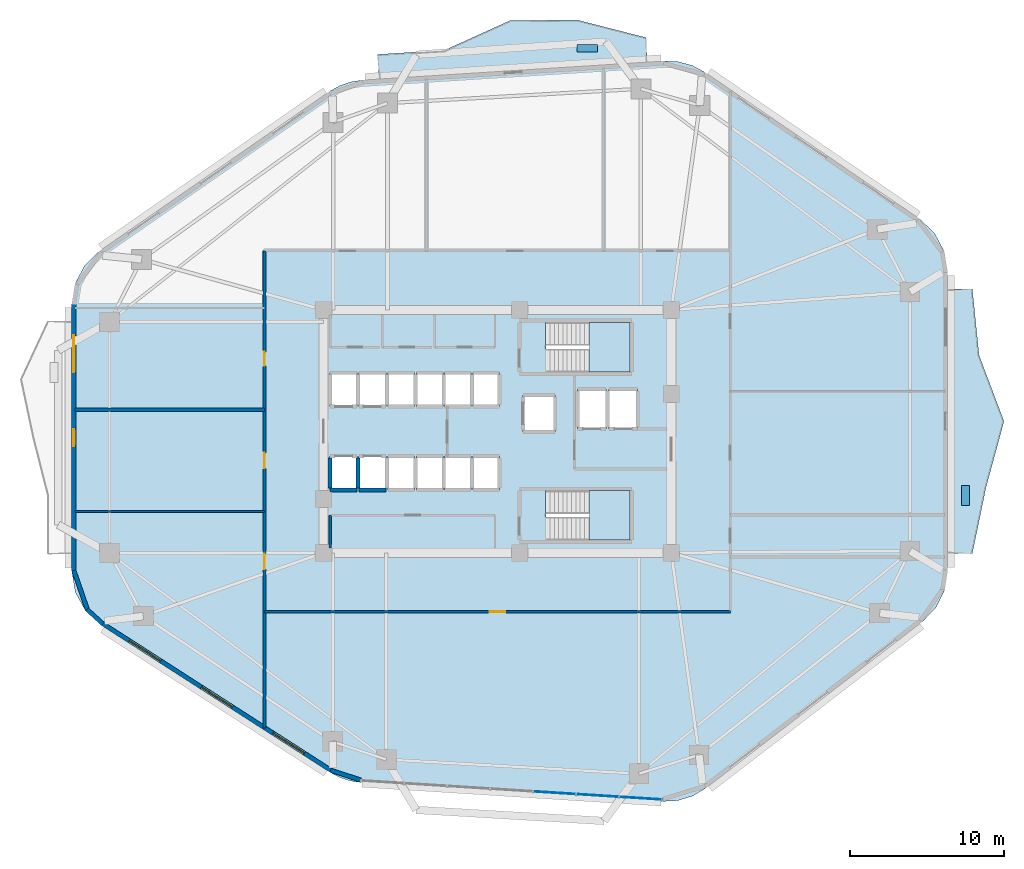
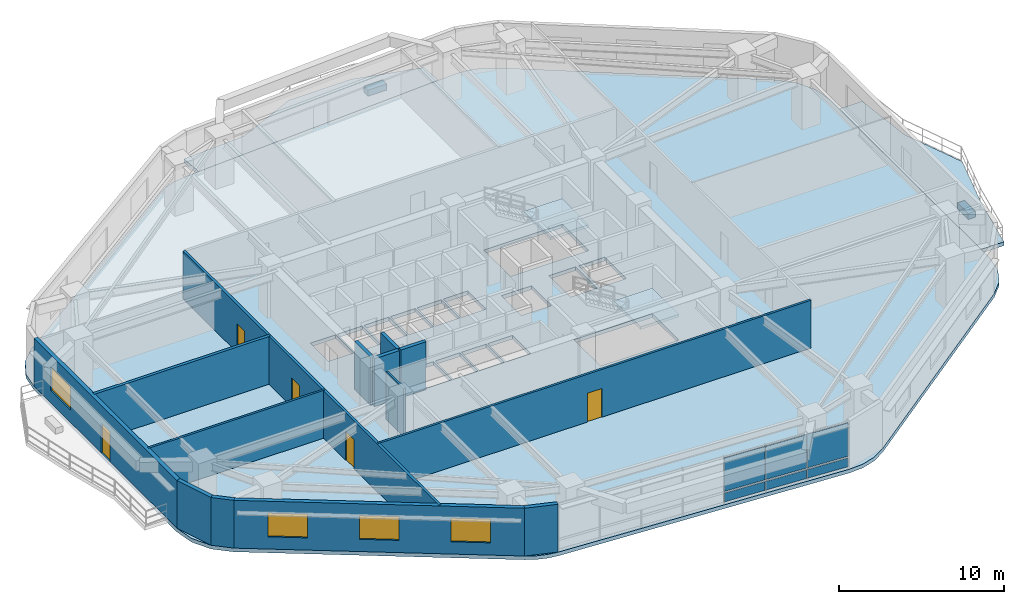
# One storey, part 7 of 13: 14 walls, 8 plates, 5 doors, 5 slabs, 4 windows, 9 openings, 3 elements without a shape of their own.
"""IFC4 building model written with IfcOpenShell, lengths in metres."""

from ifc_helpers import new_model, si_unit, direction, frame, frame_2d, origin, origin_2d, place, context, subcontext, project, spatial, polyline, rectangle, outline, extrude, material, layer, layer_set, type_object, element, fill, aggregate, save


model = new_model("IFC4")

# Units and contexts
model_context = context("Model", 3, precision=1e-05, world=origin(), true_north=direction((0.0, 1.0)))
body_context = subcontext(model_context, "Body", "Model", "MODEL_VIEW")
ifc_project = project(units=[si_unit("LENGTHUNIT", "METRE"), si_unit("AREAUNIT", "SQUARE_METRE"), si_unit("VOLUMEUNIT", "CUBIC_METRE"), si_unit("PLANEANGLEUNIT", "RADIAN"), si_unit("MASSUNIT", "GRAM", prefix="KILO")], contexts=[model_context])

# Site, building, storey
site_placement = place(None, origin())
site = spatial("IfcSite", under=ifc_project, at=site_placement, CompositionType="ELEMENT")
building_placement = place(site_placement, origin())
building = spatial("IfcBuilding", under=site, at=building_placement, Name="Zulverin Broadcast Headquarters", CompositionType="ELEMENT")
storey_placement = place(building_placement, frame((0.0, 0.0, 47.800048828125)))
storey = spatial("IfcBuildingStorey", under=building, at=storey_placement, Name="L11", CompositionType="ELEMENT", Elevation=47.800048828125)

# Curtain wall, plates
ifc_material_1 = material(Name="Low-zone ribbon unitised curtain wall", Category="aluminium")
curtain_wall_type = type_object("IfcCurtainWallType", Name="CW-TWR-LOW", PredefinedType="USERDEFINED", material=ifc_material_1)
curtain_wall_placement = place(storey_placement, origin())
curtain_wall = element("IfcCurtainWall", 1, at=curtain_wall_placement, inside=storey, type_object=curtain_wall_type, Name="L11 Unitised Curtain Wall CW-L11-E1", ObjectType="UNITISED CURTAIN WALL", PredefinedType="USERDEFINED")
ifc_material_2 = material(Name="Low-E double-glazed pale-silver vision glass", Category="glass")
ifc_layer_1 = layer(ifc_material_2, 0.035888671875, Name="Low-E double-glazed pale-silver vision glass", Category="glass")
ifc_layer_set_1 = layer_set([ifc_layer_1], Name="Low-E double-glazed pale-silver vision glass")
plate_type_1 = type_object("IfcPlateType", Name="CW-PNL-GLZ", PredefinedType="CURTAIN_PANEL", material=ifc_layer_set_1)
plate_1_placement = place(storey_placement, frame((40.72021484375, 1.759033203125, 0.910888671875), z_axis=(0.0, 0.0, 1.0), x_axis=(0.998017182581, -0.062942062821, 0.0)))
plate_1 = element("IfcPlate", 2, at=plate_1_placement, type_object=plate_type_1, Name="CW-L11-E1 Vision Panel 04", PredefinedType="CURTAIN_PANEL", context=body_context, shape_type="SweptSolid", body=[
    extrude(rectangle(XDim=2.756591796875, YDim=0.035888671875, at=origin_2d()), origin(), (0.0, 0.0, 1.0), 2.47412109375),
])
plate_2_placement = place(storey_placement, frame((43.511474609375, 1.5830078125, 0.910888671875), z_axis=(0.0, 0.0, 1.0), x_axis=(0.998017182581, -0.062942062821, 0.0)))
plate_2 = element("IfcPlate", 3, at=plate_2_placement, type_object=plate_type_1, Name="CW-L11-E1 Vision Panel 05", PredefinedType="CURTAIN_PANEL", context=body_context, shape_type="SweptSolid", body=[
    extrude(rectangle(XDim=2.756591796875, YDim=0.035888671875, at=origin_2d()), origin(), (0.0, 0.0, 1.0), 2.47412109375),
])
plate_3_placement = place(storey_placement, frame((46.302490234375, 1.406982421875, 0.910888671875), z_axis=(0.0, 0.0, 1.0), x_axis=(0.998017182581, -0.062942062821, 0.0)))
plate_3 = element("IfcPlate", 4, at=plate_3_placement, type_object=plate_type_1, Name="CW-L11-E1 Vision Panel 06", PredefinedType="CURTAIN_PANEL", context=body_context, shape_type="SweptSolid", body=[
    extrude(rectangle(XDim=2.756591796875, YDim=0.035888671875, at=origin_2d()), origin(), (0.0, 0.0, 1.0), 2.47412109375),
])
ifc_material_3 = material(Name="Insulated brushed pale-aluminium spandrel cassette", Category="aluminium")
ifc_layer_2 = layer(ifc_material_3, 0.050048828125, Name="Insulated brushed pale-aluminium spandrel cassette", Category="aluminium")
ifc_layer_set_2 = layer_set([ifc_layer_2], Name="Insulated brushed pale-aluminium spandrel cassette")
plate_type_2 = type_object("IfcPlateType", Name="CW-PNL-SPN", PredefinedType="CURTAIN_PANEL", material=ifc_layer_set_2)
plate_4_placement = place(storey_placement, frame((40.72021484375, 1.759033203125, 0.139892578125), z_axis=(0.0, 0.0, 1.0), x_axis=(0.998017182581, -0.062942062821, 0.0)))
plate_4 = element("IfcPlate", 5, at=plate_4_placement, type_object=plate_type_2, Name="CW-L11-E1 Spandrel Cassette 04", PredefinedType="CURTAIN_PANEL", context=body_context, shape_type="SweptSolid", body=[
    extrude(rectangle(XDim=2.756591796875, YDim=0.050048828125, at=origin_2d()), origin(), (0.0, 0.0, 1.0), 0.64111328125),
])
plate_5_placement = place(storey_placement, frame((43.511474609375, 1.5830078125, 0.139892578125), z_axis=(0.0, 0.0, 1.0), x_axis=(0.998017182581, -0.062942062821, 0.0)))
plate_5 = element("IfcPlate", 6, at=plate_5_placement, type_object=plate_type_2, Name="CW-L11-E1 Spandrel Cassette 05", PredefinedType="CURTAIN_PANEL", context=body_context, shape_type="SweptSolid", body=[
    extrude(rectangle(XDim=2.756591796875, YDim=0.050048828125, at=origin_2d()), origin(), (0.0, 0.0, 1.0), 0.64111328125),
])
plate_6_placement = place(storey_placement, frame((46.302490234375, 1.406982421875, 0.139892578125), z_axis=(0.0, 0.0, 1.0), x_axis=(0.998017182581, -0.062942062821, 0.0)))
plate_6 = element("IfcPlate", 7, at=plate_6_placement, type_object=plate_type_2, Name="CW-L11-E1 Spandrel Cassette 06", PredefinedType="CURTAIN_PANEL", context=body_context, shape_type="SweptSolid", body=[
    extrude(rectangle(XDim=2.756591796875, YDim=0.050048828125, at=origin_2d()), origin(), (0.0, 0.0, 1.0), 0.64111328125),
])
aggregate(curtain_wall, [plate_4, plate_1, plate_5, plate_2, plate_6, plate_3])

# Plates
ifc_material_4 = material(Name="Precast concrete C45/55", Category="concrete")
ifc_layer_3 = layer(ifc_material_4, 0.449951171875, Name="Precast concrete C45/55", Category="concrete")
ifc_layer_set_3 = layer_set([ifc_layer_3], Name="Precast concrete C45/55")
plate_type_3 = type_object("IfcPlateType", Name="PT-01_PRECAST_GFRC_TREE_PLANTER", PredefinedType="USERDEFINED", material=ifc_layer_set_3)
for number, where, z_axis, x_axis, name in (
    (8, (67.35009765625, 21.05224609375, -0.0048828125), (0.0, 0.0, 1.0), (0.0, 1.0, 0.0), "L11 Precast GFRC Tree Planter BAL_E"),
    (9, (42.825927734375, 50.04638671875, -0.0048828125), (0.0, 0.0, 1.0), (1.0, 0.0, 0.0), "L11 Precast GFRC Tree Planter BAL_N"),
):
    element("IfcPlate", number, at=place(storey_placement, frame(where, z_axis=z_axis, x_axis=x_axis)), inside=storey, type_object=plate_type_3, Name=name, ObjectType="PLANTER", PredefinedType="USERDEFINED", context=body_context, shape_type="SweptSolid", body=[
        extrude(rectangle(XDim=1.300048828125, YDim=0.5, at=origin_2d()), origin(), (0.0, 0.0, 1.0), 0.449951171875),
    ])

# Slabs
ifc_material_5 = material(Name="Concrete C40/50", Category="concrete")
ifc_layer_4 = layer(ifc_material_5, 0.27490234375, Name="Concrete C40/50", Category="concrete")
ifc_layer_set_4 = layer_set([ifc_layer_4], Name="Concrete C40/50")
slab_type_1 = type_object("IfcSlabType", Name="SLB-BAL-275", PredefinedType="FLOOR", material=ifc_layer_set_4)
slab_1_placement = place(storey_placement, frame((0.0, 0.0, -0.275146484375)))
element("IfcSlab", 10, at=slab_1_placement, inside=storey, type_object=slab_type_1, Name="L11 Cantilevered Planted Balcony Slab BAL_E", PredefinedType="FLOOR", context=body_context, shape_type="SweptSolid", body=[
    extrude(outline(polyline([(66.199951171875, 34.41455078125), (66.199951171875, 17.283447265625), (67.800048828125, 17.283447265625), (68.683837890625, 21.566162109375), (69.85009765625, 25.848876953125), (68.234375, 30.131591796875), (67.800048828125, 34.41455078125), (66.199951171875, 34.41455078125)])), origin(), (0.0, 0.0, 1.0), 0.275146484375),
])
slab_2_placement = place(storey_placement, frame((0.0, 0.0, -0.275146484375)))
element("IfcSlab", 11, at=slab_2_placement, inside=storey, type_object=slab_type_1, Name="L11 Cantilevered Planted Balcony Slab BAL_N", PredefinedType="FLOOR", context=body_context, shape_type="SweptSolid", body=[
    extrude(outline(polyline([(29.330078125, 48.04296875), (46.72509765625, 49.139892578125), (46.62451171875, 50.73681640625), (42.18701171875, 51.871337890625), (37.8232421875, 51.8349609375), (33.578369140625, 49.9140625), (29.2294921875, 49.639892578125), (29.330078125, 48.04296875)])), origin(), (0.0, 0.0, 1.0), 0.275146484375),
])

# Stair, slab
stair_type = type_object("IfcStairType", Name="ST-CORE-1500", PredefinedType="HALF_TURN_STAIR", material=ifc_material_5)
stair_1_placement = place(storey_placement, origin())
stair_1 = element("IfcStair", 12, at=stair_1_placement, inside=storey, type_object=stair_type, Name="L11 Core Exit Stair ST-1", PredefinedType="HALF_TURN_STAIR")
ifc_layer_5 = layer(ifc_material_5, 0.199951171875, Name="Concrete C40/50", Category="concrete")
ifc_layer_set_5 = layer_set([ifc_layer_5], Name="Concrete C40/50")
slab_type_2 = type_object("IfcSlabType", Name="SLB-ST-LND200", PredefinedType="LANDING", material=ifc_layer_set_5)
slab_3_placement = place(storey_placement, frame((0.0, 0.0, 1.699951171875)))
slab_3 = element("IfcSlab", 13, at=slab_3_placement, type_object=slab_type_2, Name="ST-1 landing 1", PredefinedType="LANDING", context=body_context, shape_type="SweptSolid", body=[
    extrude(outline(polyline([(42.929931640625, 29.050048828125), (45.60009765625, 29.050048828125), (45.60009765625, 32.25), (42.929931640625, 32.25), (42.929931640625, 29.050048828125)])), origin(), (0.0, 0.0, 1.0), 0.199951171875),
])
aggregate(stair_1, [slab_3])

stair_2_placement = place(storey_placement, origin())
stair_2 = element("IfcStair", 14, at=stair_2_placement, inside=storey, type_object=stair_type, Name="L11 Core Exit Stair ST-2", PredefinedType="HALF_TURN_STAIR")
slab_4_placement = place(storey_placement, frame((0.0, 0.0, 1.699951171875)))
slab_4 = element("IfcSlab", 15, at=slab_4_placement, type_object=slab_type_2, Name="ST-2 landing 1", PredefinedType="LANDING", context=body_context, shape_type="SweptSolid", body=[
    extrude(outline(polyline([(42.929931640625, 18.14990234375), (45.60009765625, 18.14990234375), (45.60009765625, 21.35009765625), (42.929931640625, 21.35009765625), (42.929931640625, 18.14990234375)])), origin(), (0.0, 0.0, 1.0), 0.199951171875),
])
aggregate(stair_2, [slab_4])

# Slab
ifc_layer_6 = layer(ifc_material_5, 0.27490234375, Name="Concrete C40/50", Category="concrete")
ifc_layer_set_6 = layer_set([ifc_layer_6], Name="Concrete C40/50")
slab_type_3 = type_object("IfcSlabType", Name="SLB-TWR-275", PredefinedType="FLOOR", material=ifc_layer_set_6)
slab_5_placement = place(storey_placement, frame((0.0, 0.0, -0.275146484375)))
element("IfcSlab", 16, at=slab_5_placement, inside=storey, type_object=slab_type_3, Name="L11 Main Structural Floor Slab", PredefinedType="FLOOR", context=body_context, shape_type="SweptSolid", body=[
    extrude(outline(polyline([(26.146484375, 3.089599609375), (26.774658203125, 2.75732421875), (27.44970703125, 2.535888671875), (28.152587890625, 2.431396484375), (47.690673828125, 1.19921875), (48.69189453125, 1.256103515625), (49.6513671875, 1.548828125), (50.51416015625, 2.060546875), (64.55908203125, 12.85302734375), (65.44140625, 13.77587890625), (66.005859375, 14.92138671875), (66.199951171875, 16.183349609375), (66.199951171875, 35.514404296875), (65.981689453125, 36.85107421875), (65.349365234375, 38.048583984375), (64.368896484375, 38.982666015625), (50.456298828125, 48.485595703125), (49.639404296875, 48.920166015625), (48.747314453125, 49.165283203125), (47.822998046875, 49.208984375), (28.232421875, 47.9736328125), (27.481201171875, 47.857421875), (26.76318359375, 47.607666015625), (26.102294921875, 47.232666015625), (11.20556640625, 36.89501953125), (10.238037109375, 35.9619140625), (9.614990234375, 34.77099609375), (9.39990234375, 33.4443359375), (9.39990234375, 16.1435546875), (9.631103515625, 14.769775390625), (10.298583984375, 13.547119140625), (11.32958984375, 12.610107421875), (26.146484375, 3.089599609375)]), holes=[polyline([(40.155029296875, 30.75), (40.130126953125, 30.75), (40.130126953125, 32.25), (45.60009765625, 32.25), (45.60009765625, 29.050048828125), (40.155029296875, 29.050048828125), (40.155029296875, 30.75)]), polyline([(40.155029296875, 19.85009765625), (40.130126953125, 19.85009765625), (40.130126953125, 21.35009765625), (45.60009765625, 21.35009765625), (45.60009765625, 18.14990234375), (40.155029296875, 18.14990234375), (40.155029296875, 19.85009765625)]), polyline([(26.14990234375, 26.800048828125), (27.89990234375, 26.800048828125), (27.89990234375, 29.0), (26.14990234375, 29.0), (26.14990234375, 26.800048828125)]), polyline([(28.02001953125, 26.800048828125), (29.77001953125, 26.800048828125), (29.77001953125, 29.0), (28.02001953125, 29.0), (28.02001953125, 26.800048828125)]), polyline([(26.14990234375, 21.39990234375), (27.89990234375, 21.39990234375), (27.89990234375, 23.60009765625), (26.14990234375, 23.60009765625), (26.14990234375, 21.39990234375)]), polyline([(28.02001953125, 21.39990234375), (29.77001953125, 21.39990234375), (29.77001953125, 23.60009765625), (28.02001953125, 23.60009765625), (28.02001953125, 21.39990234375)]), polyline([(29.89990234375, 21.39990234375), (31.6201171875, 21.39990234375), (31.6201171875, 23.60009765625), (29.89990234375, 23.60009765625), (29.89990234375, 21.39990234375)]), polyline([(31.739990234375, 21.39990234375), (33.4599609375, 21.39990234375), (33.4599609375, 23.60009765625), (31.739990234375, 23.60009765625), (31.739990234375, 21.39990234375)]), polyline([(33.580078125, 21.39990234375), (35.300048828125, 21.39990234375), (35.300048828125, 23.60009765625), (33.580078125, 23.60009765625), (33.580078125, 21.39990234375)]), polyline([(35.419921875, 21.39990234375), (37.139892578125, 21.39990234375), (37.139892578125, 23.60009765625), (35.419921875, 23.60009765625), (35.419921875, 21.39990234375)]), polyline([(29.89990234375, 26.800048828125), (31.6201171875, 26.800048828125), (31.6201171875, 29.0), (29.89990234375, 29.0), (29.89990234375, 26.800048828125)]), polyline([(31.739990234375, 26.800048828125), (33.4599609375, 26.800048828125), (33.4599609375, 29.0), (31.739990234375, 29.0), (31.739990234375, 26.800048828125)]), polyline([(33.580078125, 26.800048828125), (35.300048828125, 26.800048828125), (35.300048828125, 29.0), (33.580078125, 29.0), (33.580078125, 26.800048828125)]), polyline([(35.419921875, 26.800048828125), (37.139892578125, 26.800048828125), (37.139892578125, 29.0), (35.419921875, 29.0), (35.419921875, 26.800048828125)]), polyline([(42.199951171875, 25.35009765625), (44.050048828125, 25.35009765625), (44.050048828125, 27.949951171875), (42.199951171875, 27.949951171875), (42.199951171875, 25.35009765625)]), polyline([(44.25, 25.35009765625), (46.10009765625, 25.35009765625), (46.10009765625, 27.949951171875), (44.25, 27.949951171875), (44.25, 25.35009765625)]), polyline([(38.64990234375, 25.14990234375), (40.75, 25.14990234375), (40.75, 27.550048828125), (38.64990234375, 27.550048828125), (38.64990234375, 25.14990234375)])]), origin(), (0.0, 0.0, 1.0), 0.275146484375),
])

# Wall
ifc_material_6 = material(Name="Acoustic drywall steel stud", Category="steel")
ifc_layer_7 = layer(ifc_material_6, 0.199951171875, Name="Acoustic drywall steel stud", Category="steel")
ifc_layer_set_7 = layer_set([ifc_layer_7], Name="Acoustic drywall steel stud")
wall_type_1 = type_object("IfcWallType", Name="WL-ACOU-200", PredefinedType="PARTITIONING", material=ifc_layer_set_7)
wall_1_placement = place(storey_placement, frame((9.60498046875, 26.60009765625, 0.0), z_axis=(0.0, 0.0, 1.0), x_axis=(1.0, 0.0, 0.0)))
element("IfcWall", 17, at=wall_1_placement, inside=storey, type_object=wall_type_1, Name="L11 Room Partition Wall RP-09", PredefinedType="PARTITIONING", context=body_context, shape_type="SweptSolid", body=[
    extrude(rectangle(XDim=12.294921875, YDim=0.199951171875, at=frame_2d((6.1474609375, 0.0))), origin(), (0.0, 0.0, 1.0), 3.52490234375),
])

# Wall, openings, door, window
ifc_material_7 = material(Name="Insulated pale-metal clad concrete spandrel C40/50", Category="concrete")
ifc_layer_8 = layer(ifc_material_7, 0.280029296875, Name="Insulated pale-metal clad concrete spandrel C40/50", Category="concrete")
ifc_layer_set_8 = layer_set([ifc_layer_8], Name="Insulated pale-metal clad concrete spandrel C40/50")
wall_type_2 = type_object("IfcWallType", Name="WL-EXT-280", PredefinedType="STANDARD", material=ifc_layer_set_8)
wall_2_placement = place(storey_placement, frame((9.5400390625, 33.4443359375, 0.0), z_axis=(0.0, 0.0, 1.0), x_axis=(0.0, -1.0, 0.0)))
wall_2 = element("IfcWall", 18, at=wall_2_placement, inside=storey, type_object=wall_type_2, Name="L11 Pale-Metal Clad Spandrel Wall 7", PredefinedType="STANDARD", context=body_context, shape_type="SweptSolid", body=[
    extrude(rectangle(XDim=17.30078125, YDim=0.280029296875, at=frame_2d((8.650390625, 0.0))), origin(), (0.0, 0.0, 1.0), 3.52490234375),
])
opening_1_placement = place(wall_2_placement, frame((8.100341796875, 0.0, 0.0)))
opening_1 = element("IfcOpeningElement", 19, at=opening_1_placement, cuts=wall_2, Name="Opening D-L11-TR7", PredefinedType="OPENING", context=body_context, shape_type="SweptSolid", body=[
    extrude(rectangle(XDim=1.10009765625, YDim=2.199951171875, at=frame_2d((0.550048828125, 1.10009765625))), frame((0.0, 0.14990234375, 0.0), z_axis=(0.0, -1.0, 0.0), x_axis=(1.0, 0.0, 0.0)), (0.0, 0.0, 1.0), 0.300048828125),
])
opening_2_placement = place(wall_2_placement, frame((2.016845703125, 0.0, 0.89990234375)))
opening_2 = element("IfcOpeningElement", 20, at=opening_2_placement, cuts=wall_2, Name="Opening W-L11-E71", PredefinedType="OPENING", context=body_context, shape_type="SweptSolid", body=[
    extrude(rectangle(XDim=2.39990234375, YDim=1.75, at=frame_2d((1.199951171875, 0.875))), frame((0.0, 0.14990234375, 0.0), z_axis=(0.0, -1.0, 0.0), x_axis=(1.0, 0.0, 0.0)), (0.0, 0.0, 1.0), 0.300048828125),
])
ifc_material_8 = material(Name="Thermally broken aluminium glazed", Category="aluminium")
door_type_1 = type_object("IfcDoorType", Name="DR-TERR-1100", OperationType="SINGLE_SWING_RIGHT", PredefinedType="DOOR", material=ifc_material_8)
door_1_placement = place(opening_1_placement, origin())
door_1 = element("IfcDoor", 21, at=door_1_placement, inside=storey, type_object=door_type_1, Name="L11 Planted Terrace Glazed Access Door 7", OperationType="SINGLE_SWING_RIGHT", OverallHeight=2.199951171875, OverallWidth=1.10009765625, PredefinedType="DOOR", context=body_context, shape_type="SweptSolid", body=[
    extrude(rectangle(XDim=1.10009765625, YDim=2.199951171875, at=frame_2d((0.550048828125, 1.10009765625))), frame((0.0, 0.02490234375, 0.0), z_axis=(0.0, -1.0, 0.0), x_axis=(1.0, 0.0, 0.0)), (0.0, 0.0, 1.0), 0.050048828125),
])
fill(opening_1, door_1)
ifc_material_9 = material(Name="Pale anodized aluminium frame with solar-control low-E double glazing", Category="aluminium")
window_type = type_object("IfcWindowType", Name="WIN-RIB-2400", PartitioningType="SINGLE_PANEL", PredefinedType="WINDOW", material=ifc_material_9)
window_1_placement = place(opening_2_placement, origin())
window_1 = element("IfcWindow", 22, at=window_1_placement, inside=storey, type_object=window_type, Name="L11 Ribbon Glazing Window 7 1", OverallHeight=1.75, OverallWidth=2.39990234375, PartitioningType="SINGLE_PANEL", PredefinedType="WINDOW", context=body_context, shape_type="SweptSolid", body=[
    extrude(rectangle(XDim=2.39990234375, YDim=1.75, at=frame_2d((1.199951171875, 0.875))), frame((0.0, 0.030029296875, 0.0), z_axis=(0.0, -1.0, 0.0), x_axis=(1.0, 0.0, 0.0)), (0.0, 0.0, 1.0), 0.06005859375),
])
fill(opening_2, window_1)

# Wall, openings, windows
wall_3_placement = place(storey_placement, frame((11.4052734375, 12.727783203125, 0.0), z_axis=(0.0, 0.0, 1.0), x_axis=(0.841304564637, -0.540561402175, 0.0)))
wall_3 = element("IfcWall", 23, at=wall_3_placement, inside=storey, type_object=wall_type_2, Name="L11 Pale-Metal Clad Spandrel Wall 8", PredefinedType="STANDARD", context=body_context, shape_type="SweptSolid", body=[
    extrude(rectangle(XDim=17.61181640625, YDim=0.280029296875, at=frame_2d((8.805908203125, 0.0))), origin(), (0.0, 0.0, 1.0), 3.52490234375),
])
opening_3_placement = place(wall_3_placement, frame((2.068603515625, 0.0, 0.89990234375)))
opening_3 = element("IfcOpeningElement", 24, at=opening_3_placement, cuts=wall_3, Name="Opening W-L11-E81", PredefinedType="OPENING", context=body_context, shape_type="SweptSolid", body=[
    extrude(rectangle(XDim=2.39990234375, YDim=1.75, at=frame_2d((1.199951171875, 0.875))), frame((0.0, 0.14990234375, 0.0), z_axis=(0.0, -1.0, 0.0), x_axis=(1.0, 0.0, 0.0)), (0.0, 0.0, 1.0), 0.300048828125),
])
opening_4_placement = place(wall_3_placement, frame((7.60595703125, 0.0, 0.89990234375)))
opening_4 = element("IfcOpeningElement", 25, at=opening_4_placement, cuts=wall_3, Name="Opening W-L11-E82", PredefinedType="OPENING", context=body_context, shape_type="SweptSolid", body=[
    extrude(rectangle(XDim=2.39990234375, YDim=1.75, at=frame_2d((1.199951171875, 0.875))), frame((0.0, 0.14990234375, 0.0), z_axis=(0.0, -1.0, 0.0), x_axis=(1.0, 0.0, 0.0)), (0.0, 0.0, 1.0), 0.300048828125),
])
opening_5_placement = place(wall_3_placement, frame((13.143310546875, 0.0, 0.89990234375)))
opening_5 = element("IfcOpeningElement", 26, at=opening_5_placement, cuts=wall_3, Name="Opening W-L11-E83", PredefinedType="OPENING", context=body_context, shape_type="SweptSolid", body=[
    extrude(rectangle(XDim=2.39990234375, YDim=1.75, at=frame_2d((1.199951171875, 0.875))), frame((0.0, 0.14990234375, 0.0), z_axis=(0.0, -1.0, 0.0), x_axis=(1.0, 0.0, 0.0)), (0.0, 0.0, 1.0), 0.300048828125),
])
window_2_placement = place(opening_3_placement, origin())
window_2 = element("IfcWindow", 27, at=window_2_placement, inside=storey, type_object=window_type, Name="L11 Ribbon Glazing Window 8 1", OverallHeight=1.75, OverallWidth=2.39990234375, PartitioningType="SINGLE_PANEL", PredefinedType="WINDOW", context=body_context, shape_type="SweptSolid", body=[
    extrude(rectangle(XDim=2.39990234375, YDim=1.75, at=frame_2d((1.199951171875, 0.875))), frame((0.0, 0.030029296875, 0.0), z_axis=(0.0, -1.0, 0.0), x_axis=(1.0, 0.0, 0.0)), (0.0, 0.0, 1.0), 0.06005859375),
])
fill(opening_3, window_2)
window_3_placement = place(opening_4_placement, origin())
window_3 = element("IfcWindow", 28, at=window_3_placement, inside=storey, type_object=window_type, Name="L11 Ribbon Glazing Window 8 2", OverallHeight=1.75, OverallWidth=2.39990234375, PartitioningType="SINGLE_PANEL", PredefinedType="WINDOW", context=body_context, shape_type="SweptSolid", body=[
    extrude(rectangle(XDim=2.39990234375, YDim=1.75, at=frame_2d((1.199951171875, 0.875))), frame((0.0, 0.030029296875, 0.0), z_axis=(0.0, -1.0, 0.0), x_axis=(1.0, 0.0, 0.0)), (0.0, 0.0, 1.0), 0.06005859375),
])
fill(opening_4, window_3)
window_4_placement = place(opening_5_placement, origin())
window_4 = element("IfcWindow", 29, at=window_4_placement, inside=storey, type_object=window_type, Name="L11 Ribbon Glazing Window 8 3", OverallHeight=1.75, OverallWidth=2.39990234375, PartitioningType="SINGLE_PANEL", PredefinedType="WINDOW", context=body_context, shape_type="SweptSolid", body=[
    extrude(rectangle(XDim=2.39990234375, YDim=1.75, at=frame_2d((1.199951171875, 0.875))), frame((0.0, 0.030029296875, 0.0), z_axis=(0.0, -1.0, 0.0), x_axis=(1.0, 0.0, 0.0)), (0.0, 0.0, 1.0), 0.06005859375),
])
fill(opening_5, window_4)

# Walls
wall_4_placement = place(storey_placement, frame((9.5322265625, 16.189453125, 0.0), z_axis=(0.0, 0.0, 1.0), x_axis=(0.32708309668, -0.944995580871, 0.0)))
element("IfcWall", 30, at=wall_4_placement, inside=storey, type_object=wall_type_2, Name="L11 Wind-Shaped Corner Spandrel Wall 7-1", PredefinedType="STANDARD", context=body_context, shape_type="SweptSolid", body=[
    extrude(rectangle(XDim=2.74755859375, YDim=0.280029296875, at=frame_2d((1.373779296875, 0.0))), origin(), (0.0, 0.0, 1.0), 3.52490234375),
])
wall_5_placement = place(storey_placement, frame((10.392822265625, 13.650634765625, 0.0), z_axis=(0.0, 0.0, 1.0), x_axis=(0.74003521851, -0.672568119498, 0.0)))
element("IfcWall", 31, at=wall_5_placement, inside=storey, type_object=wall_type_2, Name="L11 Wind-Shaped Corner Spandrel Wall 7-2", PredefinedType="STANDARD", context=body_context, shape_type="SweptSolid", body=[
    extrude(rectangle(XDim=1.39306640625, YDim=0.280029296875, at=frame_2d((0.696533203125, 0.0))), origin(), (0.0, 0.0, 1.0), 3.52490234375),
])
wall_6_placement = place(storey_placement, frame((26.18994140625, 3.22265625, 0.0), z_axis=(0.0, 0.0, 1.0), x_axis=(0.950175683881, -0.311714885371, 0.0)))
element("IfcWall", 32, at=wall_6_placement, inside=storey, type_object=wall_type_2, Name="L11 Wind-Shaped Corner Spandrel Wall 8-1", PredefinedType="STANDARD", context=body_context, shape_type="SweptSolid", body=[
    extrude(rectangle(XDim=2.046630859375, YDim=0.280029296875, at=frame_2d((1.0234375, 0.0))), origin(), (0.0, 0.0, 1.0), 3.52490234375),
])
ifc_material_10 = material(Name="Fire-rated gypsum stud partition", Category="gypsum")
ifc_layer_9 = layer(ifc_material_10, 0.14990234375, Name="Fire-rated gypsum stud partition", Category="gypsum")
ifc_layer_set_9 = layer_set([ifc_layer_9], Name="Fire-rated gypsum stud partition")
wall_type_3 = type_object("IfcWallType", Name="WL-PART-150", PredefinedType="PARTITIONING", material=ifc_layer_set_9)
wall_7_placement = place(storey_placement, frame((26.169921875, 17.64990234375, 0.0), z_axis=(0.0, 0.0, 1.0), x_axis=(0.0, 1.0, 0.0)))
element("IfcWall", 33, at=wall_7_placement, inside=storey, type_object=wall_type_3, Name="L11 Core Female WC & Facilities Room West Wall", PredefinedType="PARTITIONING", context=body_context, shape_type="SweptSolid", body=[
    extrude(rectangle(XDim=2.10009765625, YDim=0.14990234375, at=frame_2d((1.050048828125, 0.0))), origin(), (0.0, 0.0, 1.0), 3.52490234375),
])

# Wall, opening, door
wall_8_placement = place(storey_placement, frame((21.89990234375, 13.5, 0.0), z_axis=(0.0, 0.0, 1.0), x_axis=(1.0, 0.0, 0.0)))
wall_8 = element("IfcWall", 34, at=wall_8_placement, inside=storey, type_object=wall_type_3, Name="L11 Gallery Partition Wall CG-05", PredefinedType="PARTITIONING", context=body_context, shape_type="SweptSolid", body=[
    extrude(rectangle(XDim=30.2001953125, YDim=0.14990234375, at=frame_2d((15.10009765625, 0.0))), origin(), (0.0, 0.0, 1.0), 3.52490234375),
])
opening_6_placement = place(wall_8_placement, frame((14.60009765625, 0.0, 0.0)))
opening_6 = element("IfcOpeningElement", 35, at=opening_6_placement, cuts=wall_8, Name="Opening D-L11-04", PredefinedType="OPENING", context=body_context, shape_type="SweptSolid", body=[
    extrude(rectangle(XDim=1.0, YDim=2.1201171875, at=frame_2d((0.5, 1.06005859375))), frame((0.0, 0.0849609375, 0.0), z_axis=(0.0, -1.0, 0.0), x_axis=(1.0, 0.0, 0.0)), (0.0, 0.0, 1.0), 0.169921875),
])
ifc_material_11 = material(Name="Hardwood veneer acoustic leaf", Category="wood")
door_type_2 = type_object("IfcDoorType", Name="DR-OFF-1000", OperationType="SINGLE_SWING_LEFT", PredefinedType="DOOR", material=ifc_material_11)
door_2_placement = place(opening_6_placement, origin())
door_2 = element("IfcDoor", 36, at=door_2_placement, inside=storey, type_object=door_type_2, Name="L11 Editing Office Door", OperationType="SINGLE_SWING_LEFT", OverallHeight=2.1201171875, OverallWidth=1.0, PredefinedType="DOOR", context=body_context, shape_type="SweptSolid", body=[
    extrude(rectangle(XDim=1.0, YDim=2.1201171875, at=frame_2d((0.5, 1.06005859375))), frame((0.0, 0.02490234375, 0.0), z_axis=(0.0, -1.0, 0.0), x_axis=(1.0, 0.0, 0.0)), (0.0, 0.0, 1.0), 0.050048828125),
])
fill(opening_6, door_2)

# Wall
wall_9_placement = place(storey_placement, frame((9.60498046875, 20.0, 0.0), z_axis=(0.0, 0.0, 1.0), x_axis=(1.0, 0.0, 0.0)))
element("IfcWall", 37, at=wall_9_placement, inside=storey, type_object=wall_type_3, Name="L11 Room Partition Wall RP-08", PredefinedType="PARTITIONING", context=body_context, shape_type="SweptSolid", body=[
    extrude(rectangle(XDim=12.294921875, YDim=0.14990234375, at=frame_2d((6.1474609375, 0.0))), origin(), (0.0, 0.0, 1.0), 3.52490234375),
])

# Wall, openings, doors
ifc_material_12 = material(Name="Fire-rated acoustic stud wall", Category="gypsum")
ifc_layer_10 = layer(ifc_material_12, 0.175048828125, Name="Fire-rated acoustic stud wall", Category="gypsum")
ifc_layer_set_10 = layer_set([ifc_layer_10], Name="Fire-rated acoustic stud wall")
wall_type_4 = type_object("IfcWallType", Name="WL-PART-175", PredefinedType="PARTITIONING", material=ifc_layer_set_10)
wall_10_placement = place(storey_placement, frame((21.89990234375, 5.9580078125, 0.0), z_axis=(0.0, 0.0, 1.0), x_axis=(0.0, 1.0, 0.0)))
wall_10 = element("IfcWall", 38, at=wall_10_placement, inside=storey, type_object=wall_type_4, Name="L11 Gallery Partition Wall CG-04", PredefinedType="PARTITIONING", context=body_context, shape_type="SweptSolid", body=[
    extrude(rectangle(XDim=30.94189453125, YDim=0.175048828125, at=frame_2d((15.470947265625, 0.0))), origin(), (0.0, 0.0, 1.0), 3.52490234375),
])
opening_7_placement = place(wall_10_placement, frame((10.2919921875, 0.0, 0.0)))
opening_7 = element("IfcOpeningElement", 39, at=opening_7_placement, cuts=wall_10, Name="Opening D-L11-05", PredefinedType="OPENING", context=body_context, shape_type="SweptSolid", body=[
    extrude(rectangle(XDim=1.0, YDim=2.1201171875, at=frame_2d((0.5, 1.06005859375))), frame((0.0, 0.097412109375, 0.0), z_axis=(0.0, -1.0, 0.0), x_axis=(1.0, 0.0, 0.0)), (0.0, 0.0, 1.0), 0.195068359375),
])
opening_8_placement = place(wall_10_placement, frame((16.841796875, 0.0, 0.0)))
opening_8 = element("IfcOpeningElement", 40, at=opening_8_placement, cuts=wall_10, Name="Opening D-L11-06", PredefinedType="OPENING", context=body_context, shape_type="SweptSolid", body=[
    extrude(rectangle(XDim=1.0, YDim=2.1201171875, at=frame_2d((0.5, 1.06005859375))), frame((0.0, 0.097412109375, 0.0), z_axis=(0.0, -1.0, 0.0), x_axis=(1.0, 0.0, 0.0)), (0.0, 0.0, 1.0), 0.195068359375),
])
opening_9_placement = place(wall_10_placement, frame((23.491943359375, 0.0, 0.0)))
opening_9 = element("IfcOpeningElement", 41, at=opening_9_placement, cuts=wall_10, Name="Opening D-L11-07", PredefinedType="OPENING", context=body_context, shape_type="SweptSolid", body=[
    extrude(rectangle(XDim=0.89990234375, YDim=2.10009765625, at=frame_2d((0.449951171875, 1.050048828125))), frame((0.0, 0.097412109375, 0.0), z_axis=(0.0, -1.0, 0.0), x_axis=(1.0, 0.0, 0.0)), (0.0, 0.0, 1.0), 0.195068359375),
])
door_3_placement = place(opening_7_placement, origin())
door_3 = element("IfcDoor", 42, at=door_3_placement, inside=storey, type_object=door_type_2, Name="L11 Graphics Office Door", OperationType="SINGLE_SWING_RIGHT", OverallHeight=2.1201171875, OverallWidth=1.0, PredefinedType="DOOR", context=body_context, shape_type="SweptSolid", body=[
    extrude(rectangle(XDim=1.0, YDim=2.1201171875, at=frame_2d((0.5, 1.06005859375))), frame((0.0, 0.02490234375, 0.0), z_axis=(0.0, -1.0, 0.0), x_axis=(1.0, 0.0, 0.0)), (0.0, 0.0, 1.0), 0.050048828125),
])
fill(opening_7, door_3)
door_4_placement = place(opening_8_placement, origin())
door_4 = element("IfcDoor", 43, at=door_4_placement, inside=storey, type_object=door_type_2, Name="L11 Open Office Door", OperationType="SINGLE_SWING_LEFT", OverallHeight=2.1201171875, OverallWidth=1.0, PredefinedType="DOOR", context=body_context, shape_type="SweptSolid", body=[
    extrude(rectangle(XDim=1.0, YDim=2.1201171875, at=frame_2d((0.5, 1.06005859375))), frame((0.0, 0.02490234375, 0.0), z_axis=(0.0, -1.0, 0.0), x_axis=(1.0, 0.0, 0.0)), (0.0, 0.0, 1.0), 0.050048828125),
])
fill(opening_8, door_4)
ifc_material_13 = material(Name="Fire-rated hardwood veneer timber leaf", Category="wood")
door_type_3 = type_object("IfcDoorType", Name="DR-ROOM-900", OperationType="SINGLE_SWING_RIGHT", PredefinedType="DOOR", material=ifc_material_13)
door_5_placement = place(opening_9_placement, origin())
door_5 = element("IfcDoor", 44, at=door_5_placement, inside=storey, type_object=door_type_3, Name="L11 Huddle Room Door", OperationType="SINGLE_SWING_RIGHT", OverallHeight=2.10009765625, OverallWidth=0.89990234375, PredefinedType="DOOR", context=body_context, shape_type="SweptSolid", body=[
    extrude(rectangle(XDim=0.89990234375, YDim=2.10009765625, at=frame_2d((0.449951171875, 1.050048828125))), frame((0.0, 0.02490234375, 0.0), z_axis=(0.0, -1.0, 0.0), x_axis=(1.0, 0.0, 0.0)), (0.0, 0.0, 1.0), 0.050048828125),
])
fill(opening_9, door_5)

# Walls
ifc_material_14 = material(Name="Concrete C50/60", Category="concrete")
ifc_layer_11 = layer(ifc_material_14, 0.25, Name="Concrete C50/60", Category="concrete")
ifc_layer_set_11 = layer_set([ifc_layer_11], Name="Concrete C50/60")
wall_type_5 = type_object("IfcWallType", Name="WL-SHAFT-250", PredefinedType="SHEAR", material=ifc_layer_set_11)
wall_11_placement = place(storey_placement, frame((26.14990234375, 21.39990234375, 0.0), z_axis=(0.0, 0.0, 1.0), x_axis=(1.0, 0.0, 0.0)))
element("IfcWall", 45, at=wall_11_placement, inside=storey, type_object=wall_type_5, Name="L11 Lift PL-L3 Shaft Wall S", PredefinedType="SHEAR", context=body_context, shape_type="SweptSolid", body=[
    extrude(rectangle(XDim=1.75, YDim=0.25, at=frame_2d((0.875, 0.0))), origin(), (0.0, 0.0, 1.0), 3.52490234375),
])
for number, where, z_axis, x_axis, name in (
    (46, (26.14990234375, 21.52001953125, 0.0), (0.0, 0.0, 1.0), (0.0, 1.0, 0.0), "L11 Lift PL-L3 Shaft Wall W"),
    (47, (27.9599609375, 21.52001953125, 0.0), (0.0, 0.0, 1.0), (0.0, 1.0, 0.0), "L11 Lift PL-L3 Shaft Wall E"),
):
    element("IfcWall", number, at=place(storey_placement, frame(where, z_axis=z_axis, x_axis=x_axis)), inside=storey, type_object=wall_type_5, Name=name, PredefinedType="SHEAR", context=body_context, shape_type="SweptSolid", body=[
        extrude(rectangle(XDim=1.9599609375, YDim=0.25, at=frame_2d((0.97998046875, 0.0))), origin(), (0.0, 0.0, 1.0), 3.52490234375),
    ])
wall_12_placement = place(storey_placement, frame((28.02001953125, 21.39990234375, 0.0), z_axis=(0.0, 0.0, 1.0), x_axis=(1.0, 0.0, 0.0)))
element("IfcWall", 48, at=wall_12_placement, inside=storey, type_object=wall_type_5, Name="L11 Lift PL-L4 Shaft Wall S", PredefinedType="SHEAR", context=body_context, shape_type="SweptSolid", body=[
    extrude(rectangle(XDim=1.75, YDim=0.25, at=frame_2d((0.875, 0.0))), origin(), (0.0, 0.0, 1.0), 3.52490234375),
])

save(model, "model.ifc")
